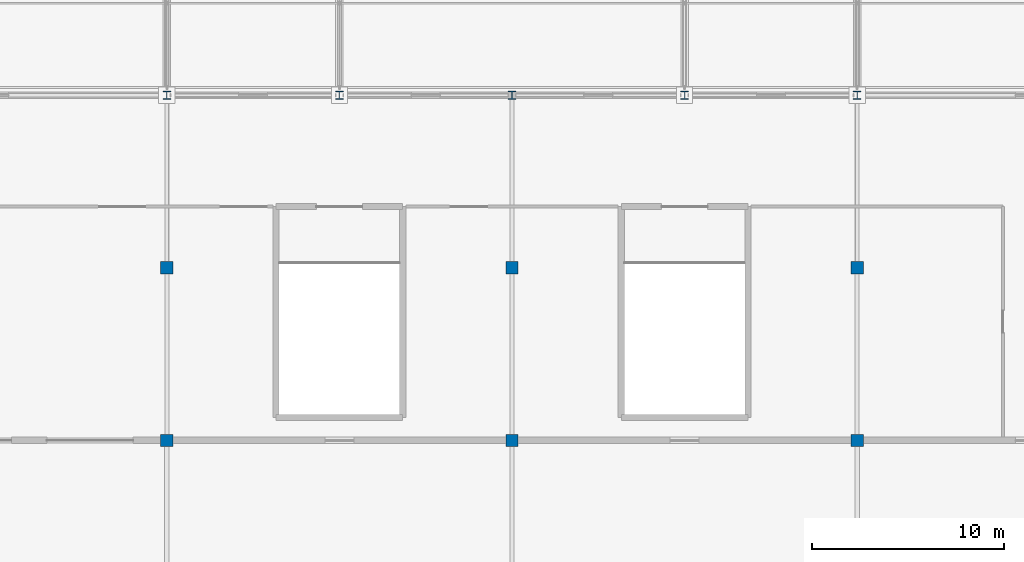
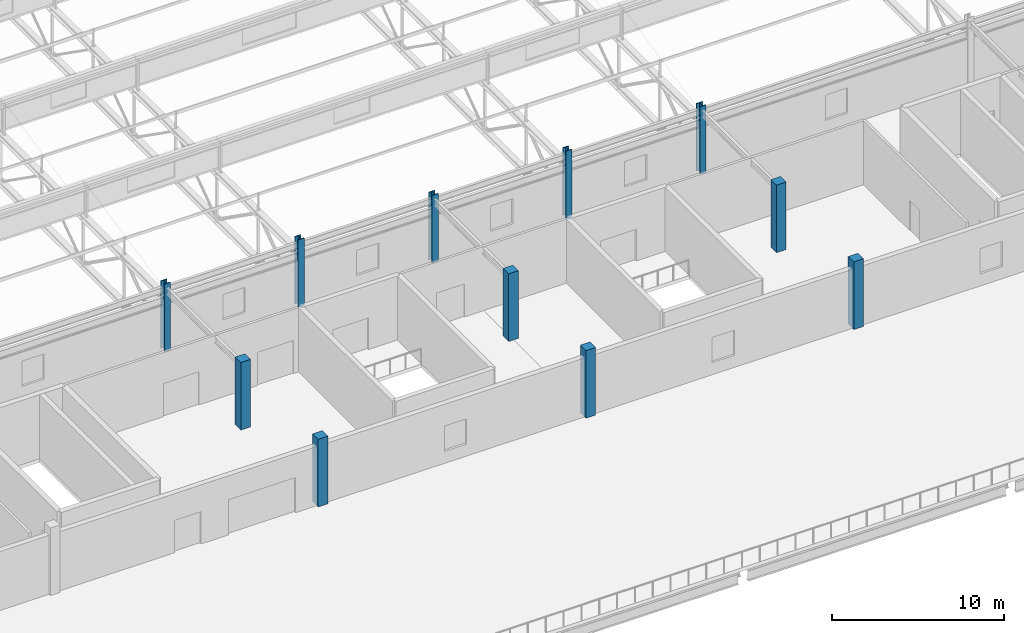
# One storey, part 3 of 136: 11 columns.
"""IFC4 building model written with IfcOpenShell, lengths in metres."""

from ifc_helpers import new_model, si_unit, direction, frame, origin, origin_2d, place, context, subcontext, project, spatial, rectangle, i_section, extrude, material, material_profile, profile_set, type_object, element, save


model = new_model("IFC4")

# Units and contexts
model_context = context("Model", 3, precision=1e-05, world=origin(), true_north=direction((0.0, 1.0)))
body_context = subcontext(model_context, "Body", "Model", "MODEL_VIEW")
ifc_project = project(units=[si_unit("LENGTHUNIT", "METRE"), si_unit("AREAUNIT", "SQUARE_METRE"), si_unit("VOLUMEUNIT", "CUBIC_METRE"), si_unit("PLANEANGLEUNIT", "RADIAN"), si_unit("MASSUNIT", "GRAM", prefix="KILO")], contexts=[model_context])

# Site, building, storey
site_placement = place(None, origin())
site = spatial("IfcSite", under=ifc_project, at=site_placement, CompositionType="ELEMENT")
building_placement = place(site_placement, origin())
building = spatial("IfcBuilding", under=site, at=building_placement, Name="Kisiwana Market Hall", CompositionType="ELEMENT")
storey_placement = place(building_placement, frame((0.0, 0.0, 16.800048828125)))
storey = spatial("IfcBuildingStorey", under=building, at=storey_placement, Name="L03", CompositionType="ELEMENT", Elevation=16.800048828125)

# Columns
ifc_material_1 = material(Name="Concrete C40/50", Category="concrete")
ifc_material_profile_1 = material_profile(ifc_material_1, rectangle(XDim=0.64990234375, YDim=0.64990234375, at=origin_2d()), Name="RC 650x650")
ifc_profile_set_1 = profile_set([ifc_material_profile_1], Name="Concrete C40/50")
column_type_1 = type_object("IfcColumnType", Name="COL-RC-POD-650", PredefinedType="COLUMN", material=ifc_profile_set_1)
for number, where, z_axis, x_axis, name in (
    (1, (81.0, 18.0, 0.0), (0.0, 0.0, 1.0), (1.0, 0.0, 0.0), "Column C/10 (L03) C-0711"),
    (2, (81.0, 27.0, 0.0), (0.0, 0.0, 1.0), (1.0, 0.0, 0.0), "Column D/10 (L03) C-0712"),
    (3, (99.0, 18.0, 0.0), (0.0, 0.0, 1.0), (1.0, 0.0, 0.0), "Column C/12 (L03) C-0719"),
    (4, (99.0, 27.0, 0.0), (0.0, 0.0, 1.0), (1.0, 0.0, 0.0), "Column D/12 (L03) C-0720"),
    (5, (117.0, 18.0, 0.0), (0.0, 0.0, 1.0), (1.0, 0.0, 0.0), "Column C/14 (L03) C-0727"),
    (6, (117.0, 27.0, 0.0), (0.0, 0.0, 1.0), (1.0, 0.0, 0.0), "Column D/14 (L03) C-0728"),
):
    element("IfcColumn", number, at=place(storey_placement, frame(where, z_axis=z_axis, x_axis=x_axis)), inside=storey, type_object=column_type_1, Name=name, PredefinedType="COLUMN", context=body_context, shape_type="SweptSolid", body=[
        extrude(rectangle(XDim=0.64990234375, YDim=0.64990234375, at=origin_2d()), origin(), (0.0, 0.0, 1.0), 4.800048828125),
    ])
ifc_material_2 = material(Name="Steel S355", Category="steel")
ifc_material_profile_2 = material_profile(ifc_material_2, i_section(OverallWidth=0.412109375, OverallDepth=0.43505859375, WebThickness=0.035888671875, FlangeThickness=0.05810546875, at=origin_2d()), Name="HD 400x463")
ifc_profile_set_2 = profile_set([ifc_material_profile_2], Name="Steel S355")
column_type_2 = type_object("IfcColumnType", Name="COL-STL-HD463", PredefinedType="COLUMN", material=ifc_profile_set_2)
for number, where, z_axis, x_axis, name in (
    (7, (81.0, 36.0, 0.0), (0.0, 0.0, 1.0), (1.0, 0.0, 0.0), "Column E/10 (L03) C-0713"),
    (8, (90.0, 36.0, 0.0), (0.0, 0.0, 1.0), (1.0, 0.0, 0.0), "Column E/11 (L03) C-0717"),
    (9, (99.0, 36.0, 0.0), (0.0, 0.0, 1.0), (1.0, 0.0, 0.0), "Column E/12 (L03) C-0721"),
    (10, (108.0, 36.0, 0.0), (0.0, 0.0, 1.0), (1.0, 0.0, 0.0), "Column E/13 (L03) C-0725"),
    (11, (117.0, 36.0, 0.0), (0.0, 0.0, 1.0), (1.0, 0.0, 0.0), "Column E/14 (L03) C-0729"),
):
    element("IfcColumn", number, at=place(storey_placement, frame(where, z_axis=z_axis, x_axis=x_axis)), inside=storey, type_object=column_type_2, Name=name, PredefinedType="COLUMN", context=body_context, shape_type="SweptSolid", body=[
        extrude(i_section(OverallWidth=0.412109375, OverallDepth=0.43505859375, WebThickness=0.035888671875, FlangeThickness=0.05810546875, at=origin_2d()), origin(), (0.0, 0.0, 1.0), 4.800048828125),
    ])

save(model, "model.ifc")
